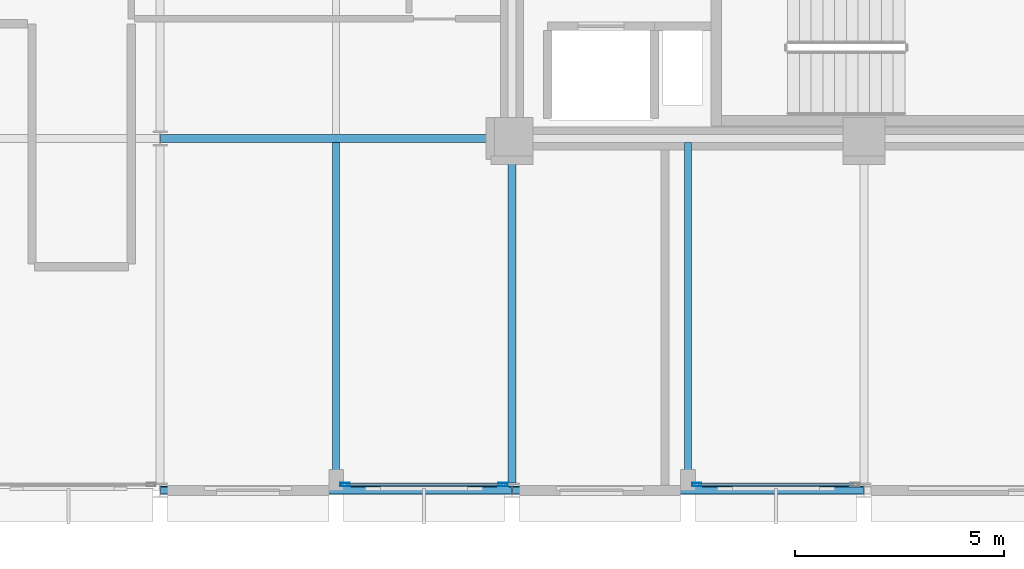
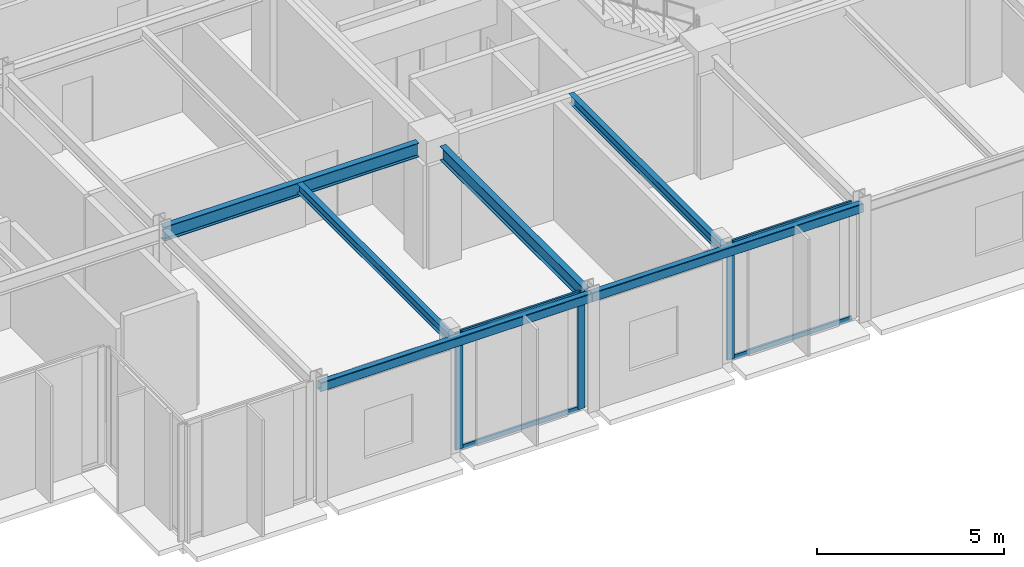
# One storey, part 3 of 21: 7 members, 6 beams, 2 elements without a shape of their own.
"""IFC4 building model written with IfcOpenShell, lengths in metres."""

from ifc_helpers import new_model, si_unit, direction, frame, origin, origin_2d, place, context, subcontext, project, spatial, hollow_rectangle, i_section, extrude, material, layer, layer_set, material_profile, profile_set, type_object, element, aggregate, save


model = new_model("IFC4")

# Units and contexts
model_context = context("Model", 3, precision=1e-05, world=origin(), true_north=direction((0.0, 1.0)))
body_context = subcontext(model_context, "Body", "Model", "MODEL_VIEW")
ifc_project = project(units=[si_unit("LENGTHUNIT", "METRE"), si_unit("AREAUNIT", "SQUARE_METRE"), si_unit("VOLUMEUNIT", "CUBIC_METRE"), si_unit("PLANEANGLEUNIT", "RADIAN"), si_unit("MASSUNIT", "GRAM", prefix="KILO")], contexts=[model_context])

# Site, building, storey
site_placement = place(None, origin())
site = spatial("IfcSite", under=ifc_project, at=site_placement, CompositionType="ELEMENT")
building_placement = place(site_placement, origin())
building = spatial("IfcBuilding", under=site, at=building_placement, Name="Nerrivon Quay Data Exchange", CompositionType="ELEMENT")
storey_placement = place(building_placement, frame((0.0, 0.0, 220.60009765625)))
storey = spatial("IfcBuildingStorey", under=building, at=storey_placement, Name="L52", CompositionType="ELEMENT", Elevation=220.60009765625)

# Beams
ifc_material_1 = material(Name="Steel Grade 350", Category="steel")
ifc_material_profile_1 = material_profile(ifc_material_1, i_section(OverallWidth=0.19091796875, OverallDepth=0.4599609375, WebThickness=0.010009765625, FlangeThickness=0.01611328125, FilletRadius=0.011474609375, at=origin_2d()), Name="460UB82.1")
ifc_profile_set_1 = profile_set([ifc_material_profile_1], Name="Steel Grade 350")
beam_type_1 = type_object("IfcBeamType", Name="BM-G5-460UB82", PredefinedType="BEAM", material=ifc_profile_set_1)
beam_1_placement = place(storey_placement, frame((8.409912109375, 8.39990234375, 3.594970703125), z_axis=(1.0, 0.0, 0.0), x_axis=(0.0, 1.0, 0.0)))
element("IfcBeam", 1, at=beam_1_placement, inside=storey, type_object=beam_type_1, Name="L52 EW Girder Y=8.4 (8.4..16.8)", PredefinedType="BEAM", context=body_context, shape_type="SweptSolid", body=[
    extrude(i_section(OverallWidth=0.19091796875, OverallDepth=0.4599609375, WebThickness=0.010009765625, FlangeThickness=0.01611328125, FilletRadius=0.011474609375, at=origin_2d()), origin(), (0.0, 0.0, 1.0), 7.89013671875),
])
ifc_material_profile_2 = material_profile(ifc_material_1, i_section(OverallWidth=0.18994140625, OverallDepth=0.4541015625, WebThickness=0.008544921875, FlangeThickness=0.0126953125, FilletRadius=0.011474609375, at=origin_2d()), Name="460UB67.1")
ifc_profile_set_2 = profile_set([ifc_material_profile_2], Name="Steel Grade 350")
beam_type_2 = type_object("IfcBeamType", Name="BM-G6-460UB67", PredefinedType="BEAM", material=ifc_profile_set_2)
beam_2_placement = place(storey_placement, frame((16.800048828125, 0.175048828125, 3.597900390625), z_axis=(0.0, 1.0, 0.0), x_axis=(-1.0, 0.0, 0.0)))
element("IfcBeam", 2, at=beam_2_placement, inside=storey, type_object=beam_type_2, Name="L52 NS Girder X=16.8 (0.0..8.4)", PredefinedType="BEAM", context=body_context, shape_type="SweptSolid", body=[
    extrude(i_section(OverallWidth=0.18994140625, OverallDepth=0.4541015625, WebThickness=0.008544921875, FlangeThickness=0.0126953125, FilletRadius=0.011474609375, at=origin_2d()), origin(), (0.0, 0.0, 1.0), 7.724853515625),
])
ifc_material_profile_3 = material_profile(ifc_material_1, i_section(OverallWidth=0.166015625, OverallDepth=0.306884765625, WebThickness=0.006591796875, FlangeThickness=0.01171875, FilletRadius=0.011474609375, at=origin_2d()), Name="310UB46.2")
ifc_profile_set_3 = profile_set([ifc_material_profile_3], Name="Steel Grade 350")
beam_type_3 = type_object("IfcBeamType", Name="BM-J5-310UB46", PredefinedType="JOIST", material=ifc_profile_set_3)
for number, where, z_axis, x_axis, name in (
    (3, (12.60009765625, 0.10009765625, 3.67138671875), (0.0, 1.0, 0.0), (-1.0, 0.0, 0.0), "L52 Secondary Joist X=12.6 (0.0..8.4)"),
    (4, (21.0, 0.10009765625, 3.67138671875), (0.0, 1.0, 0.0), (-1.0, 0.0, 0.0), "L52 Secondary Joist X=21.0 (0.0..8.4)"),
):
    element("IfcBeam", number, at=place(storey_placement, frame(where, z_axis=z_axis, x_axis=x_axis)), inside=storey, type_object=beam_type_3, Name=name, PredefinedType="JOIST", context=body_context, shape_type="SweptSolid", body=[
        extrude(i_section(OverallWidth=0.166015625, OverallDepth=0.306884765625, WebThickness=0.006591796875, FlangeThickness=0.01171875, FilletRadius=0.011474609375, at=origin_2d()), origin(), (0.0, 0.0, 1.0), 8.204345703125),
    ])
ifc_material_2 = material(Name="Steel Grade C350L0 (350 MPa)", Category="steel")
ifc_material_profile_4 = material_profile(ifc_material_2, hollow_rectangle(XDim=0.199951171875, YDim=0.300048828125, WallThickness=0.012451171875, InnerFilletRadius=0.018798828125, OuterFilletRadius=0.03125, at=origin_2d()), Name="300x200x12.5RHS")
ifc_profile_set_4 = profile_set([ifc_material_profile_4], Name="Steel Grade C350L0 (350 MPa)")
beam_type_4 = type_object("IfcBeamType", Name="BM-SP3-300x200RHS", PredefinedType="SPANDREL", material=ifc_profile_set_4)
beam_3_placement = place(storey_placement, frame((8.409912109375, 0.0, 3.6748046875), z_axis=(1.0, 0.0, 0.0), x_axis=(0.0, 1.0, 0.0)))
element("IfcBeam", 5, at=beam_3_placement, inside=storey, type_object=beam_type_4, Name="L52 EW Girder Y=0.0 (8.4..16.8)", PredefinedType="SPANDREL", context=body_context, shape_type="SweptSolid", body=[
    extrude(hollow_rectangle(XDim=0.199951171875, YDim=0.300048828125, WallThickness=0.012451171875, InnerFilletRadius=0.018798828125, OuterFilletRadius=0.03125, at=origin_2d()), origin(), (0.0, 0.0, 1.0), 8.380126953125),
])
beam_4_placement = place(storey_placement, frame((16.81005859375, 0.0, 3.6748046875), z_axis=(1.0, 0.0, 0.0), x_axis=(0.0, 1.0, 0.0)))
element("IfcBeam", 6, at=beam_4_placement, inside=storey, type_object=beam_type_4, Name="L52 EW Girder Y=0.0 (16.8..25.2)", PredefinedType="SPANDREL", context=body_context, shape_type="SweptSolid", body=[
    extrude(hollow_rectangle(XDim=0.199951171875, YDim=0.300048828125, WallThickness=0.012451171875, InnerFilletRadius=0.018798828125, OuterFilletRadius=0.03125, at=origin_2d()), origin(), (0.0, 0.0, 1.0), 8.3798828125),
])

# Curtain wall, member
ifc_material_3 = material(Name="Anodised aluminium 6063-T6", Category="aluminium")
ifc_layer = layer(ifc_material_3, 0.22998046875)
ifc_layer_set = layer_set([ifc_layer], Name="Anodised aluminium 6063-T6")
curtain_wall_type = type_object("IfcCurtainWallType", Name="CW-SYS-05", PredefinedType="NOTDEFINED", material=ifc_layer_set)
curtain_wall_1_placement = place(storey_placement, origin())
curtain_wall_1 = element("IfcCurtainWall", 7, at=curtain_wall_1_placement, inside=storey, type_object=curtain_wall_type, Name="L52 Unitised Curtain Wall 4", PredefinedType="NOTDEFINED")
ifc_material_profile_5 = material_profile(ifc_material_3, hollow_rectangle(XDim=0.074951171875, YDim=0.219970703125, WallThickness=0.00390625, at=origin_2d()), Name="ALU-MULL-220x75")
ifc_profile_set_5 = profile_set([ifc_material_profile_5], Name="Anodised aluminium 6063-T6")
member_type_1 = type_object("IfcMemberType", Name="CWM-220x75", PredefinedType="MULLION", material=ifc_profile_set_5)
member_1_placement = place(storey_placement, frame((21.21240234375, 0.139892578125, 0.0), z_axis=(0.0, 0.0, 1.0), x_axis=(0.0, -1.0, 0.0)))
member_1 = element("IfcMember", 8, at=member_1_placement, type_object=member_type_1, Name="CW05 mullion 2", PredefinedType="MULLION", context=body_context, shape_type="SweptSolid", body=[
    extrude(hollow_rectangle(XDim=0.074951171875, YDim=0.219970703125, WallThickness=0.00390625, at=origin_2d()), origin(), (0.0, 0.0, 1.0), 3.824951171875),
])

# Curtain wall, members
curtain_wall_2_placement = place(storey_placement, origin())
curtain_wall_2 = element("IfcCurtainWall", 9, at=curtain_wall_2_placement, inside=storey, type_object=curtain_wall_type, Name="L52 Unitised Curtain Wall 6", PredefinedType="NOTDEFINED")
member_2_placement = place(storey_placement, frame((16.58740234375, 0.139892578125, 0.0), z_axis=(0.0, 0.0, 1.0), x_axis=(0.0, -1.0, 0.0)))
member_2 = element("IfcMember", 10, at=member_2_placement, type_object=member_type_1, Name="CW05 mullion 1", PredefinedType="MULLION", context=body_context, shape_type="SweptSolid", body=[
    extrude(hollow_rectangle(XDim=0.074951171875, YDim=0.219970703125, WallThickness=0.00390625, at=origin_2d()), origin(), (0.0, 0.0, 1.0), 3.824951171875),
])
member_3_placement = place(storey_placement, frame((12.8125, 0.139892578125, 0.0), z_axis=(0.0, 0.0, 1.0), x_axis=(0.0, -1.0, 0.0)))
member_3 = element("IfcMember", 11, at=member_3_placement, type_object=member_type_1, Name="CW05 mullion 2", PredefinedType="MULLION", context=body_context, shape_type="SweptSolid", body=[
    extrude(hollow_rectangle(XDim=0.074951171875, YDim=0.219970703125, WallThickness=0.00390625, at=origin_2d()), origin(), (0.0, 0.0, 1.0), 3.824951171875),
])

# Member
ifc_material_profile_6 = material_profile(ifc_material_3, hollow_rectangle(XDim=0.06494140625, YDim=0.14990234375, WallThickness=0.00341796875, at=origin_2d()), Name="ALU-TRAN-150x65")
ifc_profile_set_6 = profile_set([ifc_material_profile_6], Name="Anodised aluminium 6063-T6")
member_type_2 = type_object("IfcMemberType", Name="CWT-150x65", PredefinedType="USERDEFINED", material=ifc_profile_set_6)
member_4_placement = place(storey_placement, frame((24.949951171875, 0.139892578125, 0.032470703125), z_axis=(-1.0, 0.0, 0.0), x_axis=(0.0, -1.0, 0.0)))
member_4 = element("IfcMember", 12, at=member_4_placement, type_object=member_type_2, Name="CW05 transom 1.1", ObjectType="TRANSOM", PredefinedType="USERDEFINED", context=body_context, shape_type="SweptSolid", body=[
    extrude(hollow_rectangle(XDim=0.06494140625, YDim=0.14990234375, WallThickness=0.00341796875, at=origin_2d()), origin(), (0.0, 0.0, 1.0), 3.699951171875),
])

member_5_placement = place(storey_placement, frame((24.949951171875, 0.139892578125, 3.79248046875), z_axis=(-1.0, 0.0, 0.0), x_axis=(0.0, -1.0, 0.0)))
member_5 = element("IfcMember", 13, at=member_5_placement, type_object=member_type_2, Name="CW05 transom 1.2", ObjectType="TRANSOM", PredefinedType="USERDEFINED", context=body_context, shape_type="SweptSolid", body=[
    extrude(hollow_rectangle(XDim=0.06494140625, YDim=0.14990234375, WallThickness=0.00341796875, at=origin_2d()), origin(), (0.0, 0.0, 1.0), 3.699951171875),
])

aggregate(curtain_wall_1, [member_1, member_4, member_5])

member_6_placement = place(storey_placement, frame((16.550048828125, 0.139892578125, 0.032470703125), z_axis=(-1.0, 0.0, 0.0), x_axis=(0.0, -1.0, 0.0)))
member_6 = element("IfcMember", 14, at=member_6_placement, type_object=member_type_2, Name="CW05 transom 1.1", ObjectType="TRANSOM", PredefinedType="USERDEFINED", context=body_context, shape_type="SweptSolid", body=[
    extrude(hollow_rectangle(XDim=0.06494140625, YDim=0.14990234375, WallThickness=0.00341796875, at=origin_2d()), origin(), (0.0, 0.0, 1.0), 3.699951171875),
])

member_7_placement = place(storey_placement, frame((16.550048828125, 0.139892578125, 3.79248046875), z_axis=(-1.0, 0.0, 0.0), x_axis=(0.0, -1.0, 0.0)))
member_7 = element("IfcMember", 15, at=member_7_placement, type_object=member_type_2, Name="CW05 transom 1.2", ObjectType="TRANSOM", PredefinedType="USERDEFINED", context=body_context, shape_type="SweptSolid", body=[
    extrude(hollow_rectangle(XDim=0.06494140625, YDim=0.14990234375, WallThickness=0.00341796875, at=origin_2d()), origin(), (0.0, 0.0, 1.0), 3.699951171875),
])

aggregate(curtain_wall_2, [member_2, member_3, member_6, member_7])

save(model, "model.ifc")
